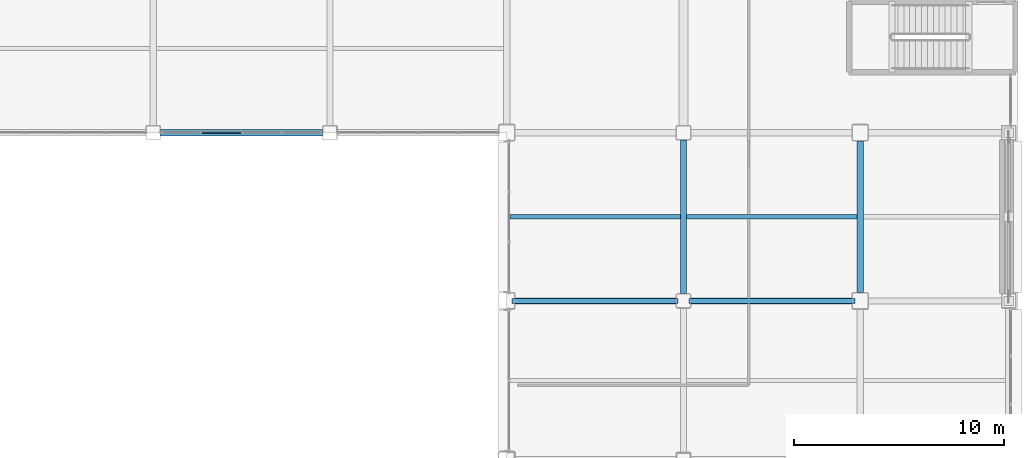
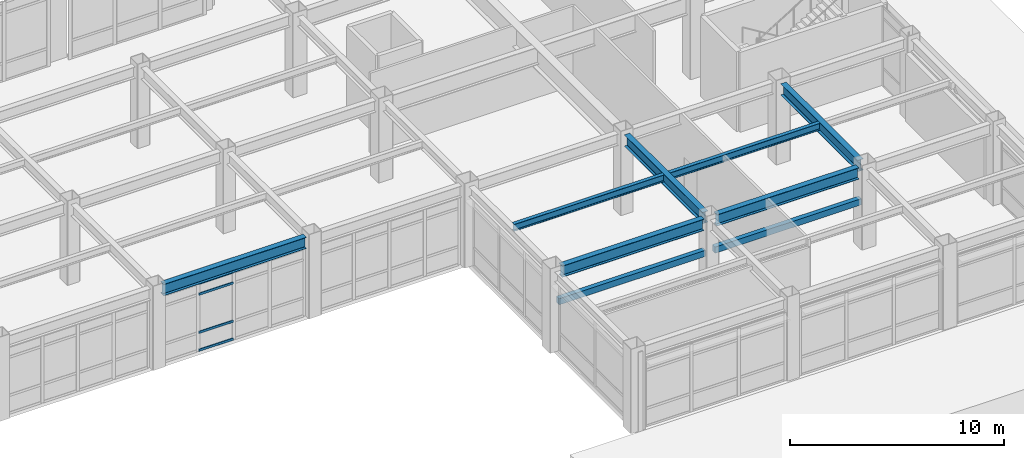
# One storey, part 94 of 172: 9 beams, 4 members, 1 element without a shape of its own.
"""IFC4 building model written with IfcOpenShell, lengths in metres."""

from ifc_helpers import new_model, si_unit, direction, frame, origin, origin_2d, place, context, subcontext, project, spatial, rectangle, hollow_rectangle, i_section, extrude, material, layer, layer_set, material_profile, profile_set, type_object, element, aggregate, save


model = new_model("IFC4")

# Units and contexts
model_context = context("Model", 3, precision=1e-05, world=origin(), true_north=direction((0.0, 1.0)))
body_context = subcontext(model_context, "Body", "Model", "MODEL_VIEW")
ifc_project = project(units=[si_unit("LENGTHUNIT", "METRE"), si_unit("AREAUNIT", "SQUARE_METRE"), si_unit("VOLUMEUNIT", "CUBIC_METRE"), si_unit("PLANEANGLEUNIT", "RADIAN"), si_unit("MASSUNIT", "GRAM", prefix="KILO")], contexts=[model_context])

# Site, building, storey
site_placement = place(None, origin())
site = spatial("IfcSite", under=ifc_project, at=site_placement, CompositionType="ELEMENT")
building_placement = place(site_placement, origin())
building = spatial("IfcBuilding", under=site, at=building_placement, Name="Kazehara Bluff Congress Hotel", CompositionType="ELEMENT")
storey_placement = place(building_placement, frame((0.0, 0.0, 5.39990234375)))
storey = spatial("IfcBuildingStorey", under=building, at=storey_placement, Name="L01", CompositionType="ELEMENT", Elevation=5.39990234375)

# Curtain wall, members
ifc_material_1 = material(Name="Anodised aluminium", Category="aluminium")
ifc_layer = layer(ifc_material_1, 0.159912109375)
ifc_layer_set = layer_set([ifc_layer], Name="Anodised aluminium")
curtain_wall_type = type_object("IfcCurtainWallType", Name="TP-CW-79", PredefinedType="NOTDEFINED", material=ifc_layer_set)
curtain_wall_placement = place(storey_placement, origin())
curtain_wall = element("IfcCurtainWall", 1, at=curtain_wall_placement, inside=storey, type_object=curtain_wall_type, Name="L01 curtain wall CW-79 CW-V5-L01-Y1600-12725", PredefinedType="NOTDEFINED")
ifc_material_2 = material(Name="Anodised aluminium", Category="aluminium")
ifc_material_profile_1 = material_profile(ifc_material_2, hollow_rectangle(XDim=0.06494140625, YDim=0.139892578125, WallThickness=0.00390625, InnerFilletRadius=0.00390625, OuterFilletRadius=0.008056640625, at=origin_2d()))
ifc_profile_set_1 = profile_set([ifc_material_profile_1], Name="Anodised aluminium")
member_type = type_object("IfcMemberType", Name="TP-CWT-02", PredefinedType="USERDEFINED", material=ifc_profile_set_1)
member_1_placement = place(storey_placement, frame((129.20751953125, 16.0, 0.03271484375), z_axis=(1.0, 0.0, 0.0), x_axis=(0.0, 1.0, 0.0)))
member_1 = element("IfcMember", 2, at=member_1_placement, type_object=member_type, Name="CW-79 transom 2.1", ObjectType="TRANSOM", PredefinedType="USERDEFINED", context=body_context, shape_type="SweptSolid", body=[
    extrude(hollow_rectangle(XDim=0.06494140625, YDim=0.139892578125, WallThickness=0.00390625, InnerFilletRadius=0.00390625, OuterFilletRadius=0.008056640625, at=origin_2d()), origin(), (0.0, 0.0, 1.0), 1.85986328125),
])
member_2_placement = place(storey_placement, frame((129.20751953125, 16.0, 1.050048828125), z_axis=(1.0, 0.0, 0.0), x_axis=(0.0, 1.0, 0.0)))
member_2 = element("IfcMember", 3, at=member_2_placement, type_object=member_type, Name="CW-79 transom 2.2", ObjectType="TRANSOM", PredefinedType="USERDEFINED", context=body_context, shape_type="SweptSolid", body=[
    extrude(hollow_rectangle(XDim=0.06494140625, YDim=0.139892578125, WallThickness=0.00390625, InnerFilletRadius=0.00390625, OuterFilletRadius=0.008056640625, at=origin_2d()), origin(), (0.0, 0.0, 1.0), 1.85986328125),
])
member_3_placement = place(storey_placement, frame((129.20751953125, 16.0, 3.22509765625), z_axis=(1.0, 0.0, 0.0), x_axis=(0.0, 1.0, 0.0)))
member_3 = element("IfcMember", 4, at=member_3_placement, type_object=member_type, Name="CW-79 transom 2.3", ObjectType="TRANSOM", PredefinedType="USERDEFINED", context=body_context, shape_type="SweptSolid", body=[
    extrude(hollow_rectangle(XDim=0.06494140625, YDim=0.139892578125, WallThickness=0.00390625, InnerFilletRadius=0.00390625, OuterFilletRadius=0.008056640625, at=origin_2d()), origin(), (0.0, 0.0, 1.0), 1.85986328125),
])
member_4_placement = place(storey_placement, frame((129.20751953125, 16.0, 3.842529296875), z_axis=(1.0, 0.0, 0.0), x_axis=(0.0, 1.0, 0.0)))
member_4 = element("IfcMember", 5, at=member_4_placement, type_object=member_type, Name="CW-79 transom 2.4", ObjectType="TRANSOM", PredefinedType="USERDEFINED", context=body_context, shape_type="SweptSolid", body=[
    extrude(hollow_rectangle(XDim=0.06494140625, YDim=0.139892578125, WallThickness=0.00390625, InnerFilletRadius=0.00390625, OuterFilletRadius=0.008056640625, at=origin_2d()), origin(), (0.0, 0.0, 1.0), 1.85986328125),
])
aggregate(curtain_wall, [member_1, member_2, member_3, member_4])

# Beams
ifc_material_3 = material(Name="Steel SN490B", Category="steel")
ifc_material_profile_2 = material_profile(ifc_material_3, i_section(OverallWidth=0.300048828125, OverallDepth=0.64990234375, WebThickness=0.011962890625, FlangeThickness=0.02001953125, FilletRadius=0.012939453125, at=origin_2d()))
ifc_profile_set_2 = profile_set([ifc_material_profile_2], Name="Steel SN490B")
beam_type_1 = type_object("IfcBeamType", Name="TP-G-03", PredefinedType="BEAM", material=ifc_profile_set_2)
beam_1_placement = place(storey_placement, frame((152.10009765625, 8.35009765625, 4.22509765625), z_axis=(0.0, 1.0, 0.0), x_axis=(-1.0, 0.0, 0.0)))
element("IfcBeam", 6, at=beam_1_placement, inside=storey, type_object=beam_type_1, Name="L01 girder G-03 243", PredefinedType="BEAM", context=body_context, shape_type="SweptSolid", body=[
    extrude(i_section(OverallWidth=0.300048828125, OverallDepth=0.64990234375, WebThickness=0.011962890625, FlangeThickness=0.02001953125, FilletRadius=0.012939453125, at=origin_2d()), origin(), (0.0, 0.0, 1.0), 7.2998046875),
])
beam_2_placement = place(storey_placement, frame((160.5, 8.39990234375, 4.22509765625), z_axis=(0.0, 1.0, 0.0), x_axis=(-1.0, 0.0, 0.0)))
element("IfcBeam", 7, at=beam_2_placement, inside=storey, type_object=beam_type_1, Name="L01 girder G-03 250", PredefinedType="BEAM", context=body_context, shape_type="SweptSolid", body=[
    extrude(i_section(OverallWidth=0.300048828125, OverallDepth=0.64990234375, WebThickness=0.011962890625, FlangeThickness=0.02001953125, FilletRadius=0.012939453125, at=origin_2d()), origin(), (0.0, 0.0, 1.0), 7.2001953125),
])
beam_3_placement = place(storey_placement, frame((144.10009765625, 8.0, 4.22509765625), z_axis=(1.0, 0.0, 0.0), x_axis=(0.0, 1.0, 0.0)))
element("IfcBeam", 8, at=beam_3_placement, inside=storey, type_object=beam_type_1, Name="L01 girder G-03 274", PredefinedType="BEAM", context=body_context, shape_type="SweptSolid", body=[
    extrude(i_section(OverallWidth=0.300048828125, OverallDepth=0.64990234375, WebThickness=0.011962890625, FlangeThickness=0.02001953125, FilletRadius=0.012939453125, at=origin_2d()), origin(), (0.0, 0.0, 1.0), 7.64990234375),
])
beam_4_placement = place(storey_placement, frame((152.449951171875, 8.0, 4.22509765625), z_axis=(1.0, 0.0, 0.0), x_axis=(0.0, 1.0, 0.0)))
element("IfcBeam", 9, at=beam_4_placement, inside=storey, type_object=beam_type_1, Name="L01 girder G-03 275", PredefinedType="BEAM", context=body_context, shape_type="SweptSolid", body=[
    extrude(i_section(OverallWidth=0.300048828125, OverallDepth=0.64990234375, WebThickness=0.011962890625, FlangeThickness=0.02001953125, FilletRadius=0.012939453125, at=origin_2d()), origin(), (0.0, 0.0, 1.0), 7.650146484375),
])
beam_5_placement = place(storey_placement, frame((127.25, 16.0, 4.22509765625), z_axis=(1.0, 0.0, 0.0), x_axis=(0.0, 1.0, 0.0)))
element("IfcBeam", 10, at=beam_5_placement, inside=storey, type_object=beam_type_1, Name="L01 girder G-03 279", PredefinedType="BEAM", context=body_context, shape_type="SweptSolid", body=[
    extrude(i_section(OverallWidth=0.300048828125, OverallDepth=0.64990234375, WebThickness=0.011962890625, FlangeThickness=0.02001953125, FilletRadius=0.012939453125, at=origin_2d()), origin(), (0.0, 0.0, 1.0), 7.699951171875),
])
ifc_material_4 = material(Name="Steel SN400B", Category="steel")
ifc_material_profile_3 = material_profile(ifc_material_4, i_section(OverallWidth=0.199951171875, OverallDepth=0.39990234375, WebThickness=0.008056640625, FlangeThickness=0.012939453125, FilletRadius=0.012939453125, at=origin_2d()))
ifc_profile_set_3 = profile_set([ifc_material_profile_3], Name="Steel SN400B")
beam_type_2 = type_object("IfcBeamType", Name="TP-J-03", PredefinedType="JOIST", material=ifc_profile_set_3)
beam_6_placement = place(storey_placement, frame((143.85009765625, 12.0, 4.35009765625), z_axis=(1.0, 0.0, 0.0), x_axis=(0.0, 1.0, 0.0)))
element("IfcBeam", 11, at=beam_6_placement, inside=storey, type_object=beam_type_2, Name="L01 secondary joist J-03 64", PredefinedType="JOIST", context=body_context, shape_type="SweptSolid", body=[
    extrude(i_section(OverallWidth=0.199951171875, OverallDepth=0.39990234375, WebThickness=0.008056640625, FlangeThickness=0.012939453125, FilletRadius=0.012939453125, at=origin_2d()), origin(), (0.0, 0.0, 1.0), 8.099853515625),
])
beam_7_placement = place(storey_placement, frame((152.25, 12.0, 4.35009765625), z_axis=(1.0, 0.0, 0.0), x_axis=(0.0, 1.0, 0.0)))
element("IfcBeam", 12, at=beam_7_placement, inside=storey, type_object=beam_type_2, Name="L01 secondary joist J-03 68", PredefinedType="JOIST", context=body_context, shape_type="SweptSolid", body=[
    extrude(i_section(OverallWidth=0.199951171875, OverallDepth=0.39990234375, WebThickness=0.008056640625, FlangeThickness=0.012939453125, FilletRadius=0.012939453125, at=origin_2d()), origin(), (0.0, 0.0, 1.0), 8.10009765625),
])
ifc_material_5 = material(Name="Concrete C40/50", Category="concrete")
ifc_material_profile_4 = material_profile(ifc_material_5, rectangle(XDim=0.25, YDim=0.35009765625, at=origin_2d()))
ifc_profile_set_4 = profile_set([ifc_material_profile_4], Name="Concrete C40/50")
beam_type_3 = type_object("IfcBeamType", Name="TP-LN-01", PredefinedType="LINTEL", material=ifc_profile_set_4)
beam_8_placement = place(storey_placement, frame((143.949951171875, 8.0, 2.550048828125), z_axis=(1.0, 0.0, 0.0), x_axis=(0.0, 1.0, 0.0)))
element("IfcBeam", 13, at=beam_8_placement, inside=storey, type_object=beam_type_3, Name="L01 corridor portal lintel 1", PredefinedType="LINTEL", context=body_context, shape_type="SweptSolid", body=[
    extrude(rectangle(XDim=0.25, YDim=0.35009765625, at=origin_2d()), origin(), (0.0, 0.0, 1.0), 7.900146484375),
])
beam_9_placement = place(storey_placement, frame((152.35009765625, 8.0, 2.550048828125), z_axis=(1.0, 0.0, 0.0), x_axis=(0.0, 1.0, 0.0)))
element("IfcBeam", 14, at=beam_9_placement, inside=storey, type_object=beam_type_3, Name="L01 corridor portal lintel 2", PredefinedType="LINTEL", context=body_context, shape_type="SweptSolid", body=[
    extrude(rectangle(XDim=0.25, YDim=0.35009765625, at=origin_2d()), origin(), (0.0, 0.0, 1.0), 7.89990234375),
])

save(model, "model.ifc")
